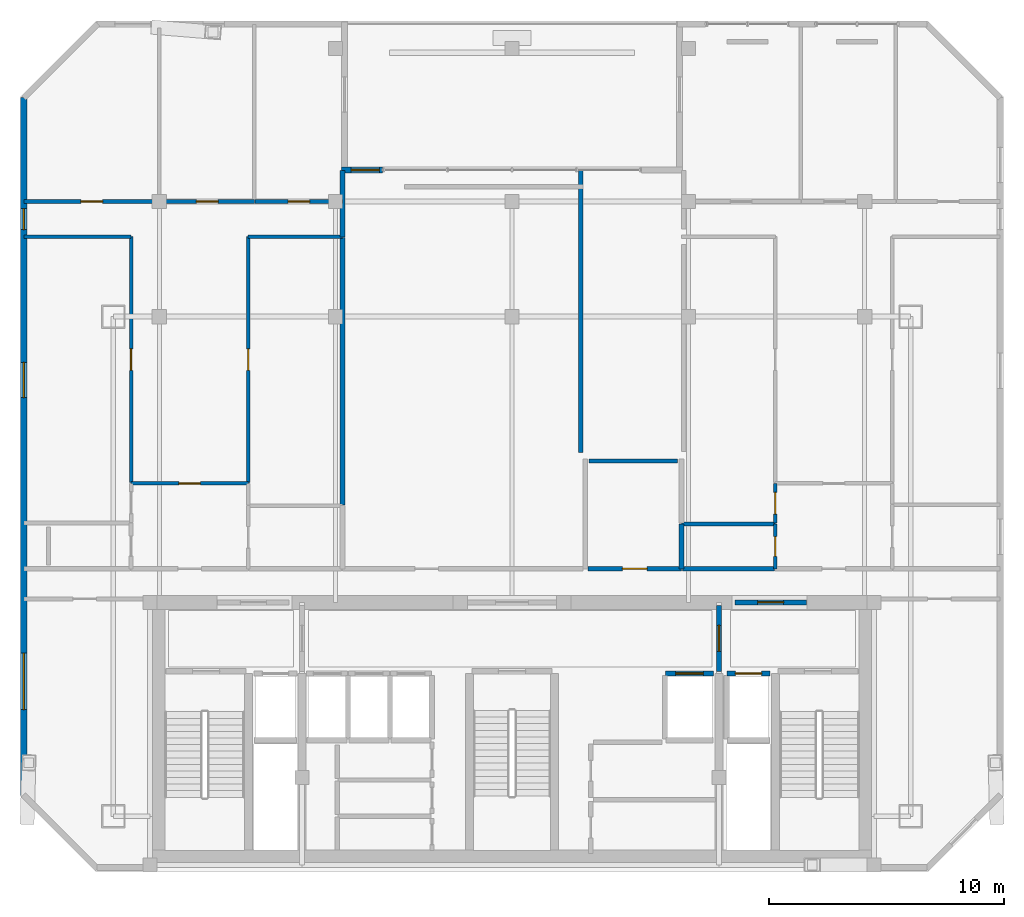
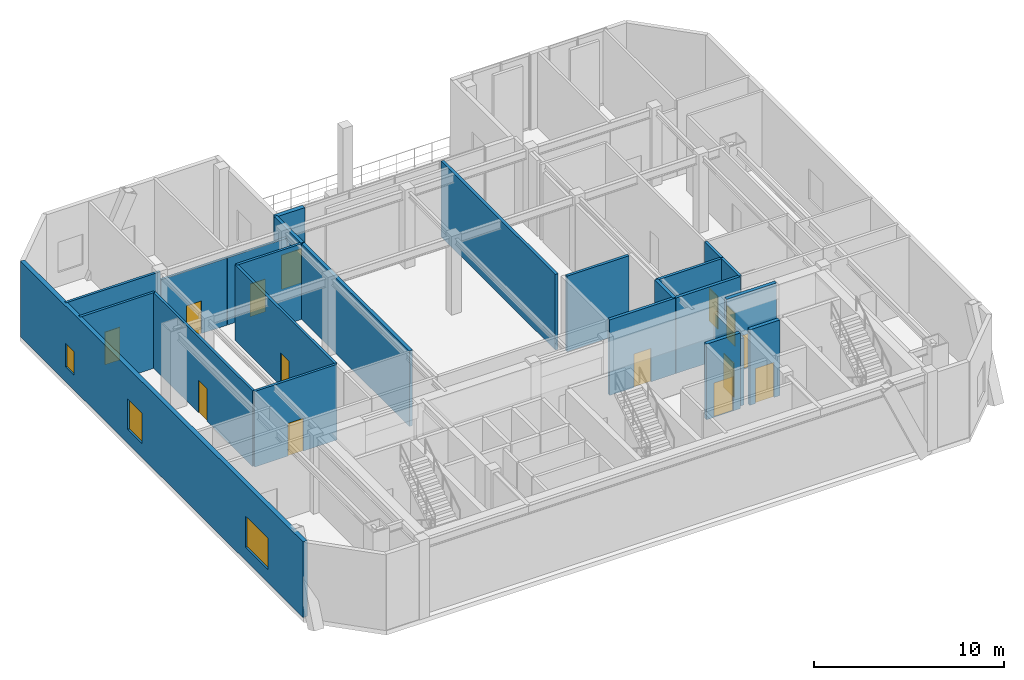
# One storey, part 9 of 12: 24 walls, 14 doors, 3 windows, 17 openings.
"""IFC4 building model written with IfcOpenShell, lengths in metres."""

from ifc_helpers import new_model, si_unit, direction, frame, frame_2d, origin, place, context, subcontext, project, spatial, rectangle, extrude, material, layer, layer_set, type_object, element, fill, save


model = new_model("IFC4")

# Units and contexts
model_context = context("Model", 3, precision=1e-05, world=origin(), true_north=direction((0.0, 1.0)))
body_context = subcontext(model_context, "Body", "Model", "MODEL_VIEW")
ifc_project = project(units=[si_unit("LENGTHUNIT", "METRE"), si_unit("AREAUNIT", "SQUARE_METRE"), si_unit("VOLUMEUNIT", "CUBIC_METRE"), si_unit("PLANEANGLEUNIT", "RADIAN"), si_unit("MASSUNIT", "GRAM", prefix="KILO")], contexts=[model_context])

# Site, building, storey
site_placement = place(None, origin())
site = spatial("IfcSite", under=ifc_project, at=site_placement, CompositionType="ELEMENT")
building_placement = place(site_placement, origin())
building = spatial("IfcBuilding", under=site, at=building_placement, Name="Ventersveld Concourse Tower", CompositionType="ELEMENT")
storey_placement = place(building_placement, frame((0.0, 0.0, 251.699951171875)))
storey = spatial("IfcBuildingStorey", under=building, at=storey_placement, Name="L62", CompositionType="ELEMENT", Elevation=251.699951171875)

# Wall, opening, door
ifc_material_1 = material(Name="Fire-rated autoclaved aerated masonry blockwork", Category="masonry")
ifc_layer_1 = layer(ifc_material_1, 0.179931640625)
ifc_layer_set_1 = layer_set([ifc_layer_1], Name="Fire-rated autoclaved aerated masonry blockwork")
wall_type_1 = type_object("IfcWallType", Name="WL-CORR-180", PredefinedType="PARTITIONING", material=ifc_layer_set_1)
wall_1_placement = place(storey_placement, frame((31.97509765625, 12.8798828125, 0.0), z_axis=(0.0, 0.0, 1.0), x_axis=(1.0, 0.0, 0.0)))
wall_1 = element("IfcWall", 1, at=wall_1_placement, inside=storey, type_object=wall_type_1, Name="L62 Interior Partition SP-L62-COR-SP-L62-SAWC", PredefinedType="PARTITIONING", context=body_context, shape_type="SweptSolid", body=[
    extrude(rectangle(XDim=3.989990234375, YDim=0.179931640625, at=frame_2d((1.9951171875, 0.0))), origin(), (0.0, 0.0, 1.0), 4.85009765625),
])
opening_1_placement = place(wall_1_placement, frame((1.469970703125, 0.0, 0.0)))
opening_1 = element("IfcOpeningElement", 2, at=opening_1_placement, cuts=wall_1, Name="Opening ID3", PredefinedType="OPENING", context=body_context, shape_type="SweptSolid", body=[
    extrude(rectangle(XDim=1.050048828125, YDim=2.14990234375, at=frame_2d((0.52490234375, 1.074951171875))), frame((0.0, 0.10009765625, 0.0), z_axis=(0.0, -1.0, 0.0), x_axis=(1.0, 0.0, 0.0)), (0.0, 0.0, 1.0), 0.199951171875),
])
ifc_material_2 = material(Name="Solid-core hardwood veneer timber", Category="wood")
door_type_1 = type_object("IfcDoorType", Name="DR-AWC-105", OperationType="NOTDEFINED", PredefinedType="DOOR", material=ifc_material_2)
door_1_placement = place(opening_1_placement, origin())
door_1 = element("IfcDoor", 3, at=door_1_placement, inside=storey, type_object=door_type_1, Name="L62 Interior Door SP-L62-COR to SP-L62-SAWC (WD-L62-2949)", OperationType="SINGLE_SWING_LEFT", OverallHeight=2.14990234375, OverallWidth=1.050048828125, PredefinedType="DOOR", context=body_context, shape_type="SweptSolid", body=[
    extrude(rectangle(XDim=1.050048828125, YDim=2.14990234375, at=frame_2d((0.52490234375, 1.074951171875))), frame((0.0, 0.02490234375, 0.0), z_axis=(0.0, -1.0, 0.0), x_axis=(1.0, 0.0, 0.0)), (0.0, 0.0, 1.0), 0.050048828125),
])
fill(opening_1, door_1)

# Walls
wall_2_placement = place(storey_placement, frame((35.9951171875, 12.8798828125, 0.0), z_axis=(0.0, 0.0, 1.0), x_axis=(1.0, 0.0, 0.0)))
element("IfcWall", 4, at=wall_2_placement, inside=storey, type_object=wall_type_1, Name="L62 Interior Partition SP-L62-COR-SP-L62-62CE-BATH", PredefinedType="PARTITIONING", context=body_context, shape_type="SweptSolid", body=[
    extrude(rectangle(XDim=3.91357421875, YDim=0.179931640625, at=frame_2d((1.956787109375, 0.0))), origin(), (0.0, 0.0, 1.0), 4.85009765625),
])
wall_3_placement = place(storey_placement, frame((31.669921875, 29.823974609375, 0.0), z_axis=(0.0, 0.0, 1.0), x_axis=(0.0, -1.0, 0.0)))
element("IfcWall", 5, at=wall_3_placement, inside=storey, type_object=wall_type_1, Name="L62 Room Enclosure Wall SP-L62-SLOB", PredefinedType="PARTITIONING", context=body_context, shape_type="SweptSolid", body=[
    extrude(rectangle(XDim=11.994873046875, YDim=0.179931640625, at=frame_2d((5.99755859375, 0.0))), origin(), (0.0, 0.0, 1.0), 4.85009765625),
])
ifc_layer_2 = layer(ifc_material_1, 0.199951171875)
ifc_layer_set_2 = layer_set([ifc_layer_2], Name="Fire-rated autoclaved aerated masonry blockwork")
wall_type_2 = type_object("IfcWallType", Name="WL-DEMISE-200", PredefinedType="PARTITIONING", material=ifc_layer_set_2)
wall_4_placement = place(storey_placement, frame((21.5400390625, 26.9951171875, 0.0), z_axis=(0.0, 0.0, 1.0), x_axis=(0.0, 1.0, 0.0)))
element("IfcWall", 6, at=wall_4_placement, inside=storey, type_object=wall_type_2, Name="L62 Interior Partition SP-L62-SLOB-SP-L62-62CW-LIV", PredefinedType="PARTITIONING", context=body_context, shape_type="SweptSolid", body=[
    extrude(rectangle(XDim=2.827392578125, YDim=0.199951171875, at=frame_2d((1.41357421875, 0.0))), origin(), (0.0, 0.0, 1.0), 4.85009765625),
])
wall_5_placement = place(storey_placement, frame((21.5400390625, 15.591552734375, 0.0), z_axis=(0.0, 0.0, 1.0), x_axis=(0.0, 1.0, 0.0)))
element("IfcWall", 7, at=wall_5_placement, inside=storey, type_object=wall_type_2, Name="L62 Interior Partition SP-L62-SLOB-SP-L62-62CW-OFFR1", PredefinedType="PARTITIONING", context=body_context, shape_type="SweptSolid", body=[
    extrude(rectangle(XDim=11.37353515625, YDim=0.199951171875, at=frame_2d((5.686767578125, 0.0))), origin(), (0.0, 0.0, 1.0), 4.85009765625),
])
wall_6_placement = place(storey_placement, frame((35.9599609375, 12.864990234375, 0.0), z_axis=(0.0, 0.0, 1.0), x_axis=(0.0, 1.0, 0.0)))
element("IfcWall", 8, at=wall_6_placement, inside=storey, type_object=wall_type_2, Name="L62 Interior Partition SP-L62-SAWC-SP-L62-62CE-BATH", PredefinedType="PARTITIONING", context=body_context, shape_type="SweptSolid", body=[
    extrude(rectangle(XDim=1.92529296875, YDim=0.199951171875, at=frame_2d((0.962646484375, 0.0))), origin(), (0.0, 0.0, 1.0), 4.85009765625),
])

# Wall, opening, door
ifc_layer_3 = layer(ifc_material_1, 0.219970703125)
ifc_layer_set_3 = layer_set([ifc_layer_3], Name="Fire-rated autoclaved aerated masonry blockwork")
wall_type_3 = type_object("IfcWallType", Name="WL-HOIST-220", PredefinedType="SOLIDWALL", material=ifc_layer_set_3)
wall_7_placement = place(storey_placement, frame((37.89990234375, 8.429931640625, 0.0), z_axis=(0.0, 0.0, 1.0), x_axis=(1.0, 0.0, 0.0)))
wall_7 = element("IfcWall", 9, at=wall_7_placement, inside=storey, type_object=wall_type_3, Name="L62 Lift Hoistway Front Wall FFL-02", PredefinedType="SOLIDWALL", context=body_context, shape_type="SweptSolid", body=[
    extrude(rectangle(XDim=1.820068359375, YDim=0.219970703125, at=frame_2d((0.91015625, 0.0))), origin(), (0.0, 0.0, 1.0), 4.85009765625),
])
opening_2_placement = place(wall_7_placement, frame((0.35009765625, 0.0, 0.0)))
opening_2 = element("IfcOpeningElement", 10, at=opening_2_placement, cuts=wall_7, Name="Opening LD1", PredefinedType="OPENING", context=body_context, shape_type="SweptSolid", body=[
    extrude(rectangle(XDim=1.1201171875, YDim=2.25, at=frame_2d((0.56005859375, 1.125))), frame((0.0, 0.1201171875, 0.0), z_axis=(0.0, -1.0, 0.0), x_axis=(1.0, 0.0, 0.0)), (0.0, 0.0, 1.0), 0.239990234375),
])
ifc_material_3 = material(Name="Brushed stainless steel 316", Category="steel")
door_type_2 = type_object("IfcDoorType", Name="LD-FF-112", OperationType="SLIDING_TO_LEFT", PredefinedType="DOOR", material=ifc_material_3)
door_2_placement = place(opening_2_placement, origin())
door_2 = element("IfcDoor", 11, at=door_2_placement, inside=storey, type_object=door_type_2, Name="L62 Lift landing door FFL-02 (LD-L62-FFL-02)", OperationType="SLIDING_TO_LEFT", OverallHeight=2.25, OverallWidth=1.1201171875, PredefinedType="DOOR", context=body_context, shape_type="SweptSolid", body=[
    extrude(rectangle(XDim=1.1201171875, YDim=2.25, at=frame_2d((0.56005859375, 1.125))), frame((0.0, 0.02490234375, 0.0), z_axis=(0.0, -1.0, 0.0), x_axis=(1.0, 0.0, 0.0)), (0.0, 0.0, 1.0), 0.050048828125),
])
fill(opening_2, door_2)

wall_8_placement = place(storey_placement, frame((35.280029296875, 8.429931640625, 0.0), z_axis=(0.0, 0.0, 1.0), x_axis=(1.0, 0.0, 0.0)))
wall_8 = element("IfcWall", 12, at=wall_8_placement, inside=storey, type_object=wall_type_3, Name="L62 Lift Hoistway Front Wall SVL-01", PredefinedType="SOLIDWALL", context=body_context, shape_type="SweptSolid", body=[
    extrude(rectangle(XDim=2.0400390625, YDim=0.219970703125, at=frame_2d((1.02001953125, 0.0))), origin(), (0.0, 0.0, 1.0), 4.85009765625),
])
opening_3_placement = place(wall_8_placement, frame((0.429931640625, 0.0, 0.0)))
opening_3 = element("IfcOpeningElement", 13, at=opening_3_placement, cuts=wall_8, Name="Opening LD2", PredefinedType="OPENING", context=body_context, shape_type="SweptSolid", body=[
    extrude(rectangle(XDim=1.179931640625, YDim=2.199951171875, at=frame_2d((0.58984375, 1.10009765625))), frame((0.0, 0.1201171875, 0.0), z_axis=(0.0, -1.0, 0.0), x_axis=(1.0, 0.0, 0.0)), (0.0, 0.0, 1.0), 0.239990234375),
])
door_type_3 = type_object("IfcDoorType", Name="LD-PAX-118", OperationType="SLIDING_TO_LEFT", PredefinedType="DOOR", material=ifc_material_3)
door_3_placement = place(opening_3_placement, origin())
door_3 = element("IfcDoor", 14, at=door_3_placement, inside=storey, type_object=door_type_3, Name="L62 Lift landing door SVL-01 (LD-L62-SVL-01)", OperationType="SLIDING_TO_RIGHT", OverallHeight=2.199951171875, OverallWidth=1.179931640625, PredefinedType="DOOR", context=body_context, shape_type="SweptSolid", body=[
    extrude(rectangle(XDim=1.179931640625, YDim=2.199951171875, at=frame_2d((0.58984375, 1.10009765625))), frame((0.0, 0.02490234375, 0.0), z_axis=(0.0, -1.0, 0.0), x_axis=(1.0, 0.0, 0.0)), (0.0, 0.0, 1.0), 0.050048828125),
])
fill(opening_3, door_3)

wall_9_placement = place(storey_placement, frame((37.550048828125, 8.52001953125, 0.0), z_axis=(0.0, 0.0, 1.0), x_axis=(0.0, 1.0, 0.0)))
wall_9 = element("IfcWall", 15, at=wall_9_placement, inside=storey, type_object=wall_type_3, Name="L62 Firefighting Lobby Smoke-Stop Wall FFLE-SEP", PredefinedType="SOLIDWALL", context=body_context, shape_type="SweptSolid", body=[
    extrude(rectangle(XDim=2.800048828125, YDim=0.219970703125, at=frame_2d((1.39990234375, 0.0))), origin(), (0.0, 0.0, 1.0), 4.3056640625),
])
opening_4_placement = place(wall_9_placement, frame((0.85009765625, 0.0, 0.0)))
opening_4 = element("IfcOpeningElement", 16, at=opening_4_placement, cuts=wall_9, Name="Opening FD2", PredefinedType="OPENING", context=body_context, shape_type="SweptSolid", body=[
    extrude(rectangle(XDim=1.10009765625, YDim=2.199951171875, at=frame_2d((0.550048828125, 1.10009765625))), frame((0.0, 0.1201171875, 0.0), z_axis=(0.0, -1.0, 0.0), x_axis=(1.0, 0.0, 0.0)), (0.0, 0.0, 1.0), 0.239990234375),
])
ifc_material_4 = material(Name="Galvanised painted steel", Category="steel")
door_type_4 = type_object("IfcDoorType", Name="DR-FFL-110", OperationType="NOTDEFINED", PredefinedType="DOOR", material=ifc_material_4)
door_4_placement = place(opening_4_placement, origin())
door_4 = element("IfcDoor", 17, at=door_4_placement, inside=storey, type_object=door_type_4, Name="L62 Firefighting Lobby Door FFLE-SEP (FD-L62-2937)", OperationType="SINGLE_SWING_RIGHT", OverallHeight=2.199951171875, OverallWidth=1.10009765625, PredefinedType="DOOR", context=body_context, shape_type="SweptSolid", body=[
    extrude(rectangle(XDim=1.10009765625, YDim=2.199951171875, at=frame_2d((0.550048828125, 1.10009765625))), frame((0.0, 0.02490234375, 0.0), z_axis=(0.0, -1.0, 0.0), x_axis=(1.0, 0.0, 0.0)), (0.0, 0.0, 1.0), 0.050048828125),
])
fill(opening_4, door_4)

wall_10_placement = place(storey_placement, frame((38.22998046875, 11.449951171875, 0.0), z_axis=(0.0, 0.0, 1.0), x_axis=(1.0, 0.0, 0.0)))
wall_10 = element("IfcWall", 18, at=wall_10_placement, inside=storey, type_object=wall_type_3, Name="L62 Core North Fire Portal FFLE-OUT", PredefinedType="SOLIDWALL", context=body_context, shape_type="SweptSolid", body=[
    extrude(rectangle(XDim=3.0400390625, YDim=0.219970703125, at=frame_2d((1.52001953125, 0.0))), origin(), (0.0, 0.0, 1.0), 4.85009765625),
])
opening_5_placement = place(wall_10_placement, frame((0.969970703125, 0.0, 0.0)))
opening_5 = element("IfcOpeningElement", 19, at=opening_5_placement, cuts=wall_10, Name="Opening FD2", PredefinedType="OPENING", context=body_context, shape_type="SweptSolid", body=[
    extrude(rectangle(XDim=1.10009765625, YDim=2.199951171875, at=frame_2d((0.550048828125, 1.10009765625))), frame((0.0, 0.1201171875, 0.0), z_axis=(0.0, -1.0, 0.0), x_axis=(1.0, 0.0, 0.0)), (0.0, 0.0, 1.0), 0.239990234375),
])
door_5_placement = place(opening_5_placement, origin())
door_5 = element("IfcDoor", 20, at=door_5_placement, inside=storey, type_object=door_type_4, Name="L62 Core Lobby Fire Door FFLE-OUT (FD-L62-2940)", OperationType="SINGLE_SWING_LEFT", OverallHeight=2.199951171875, OverallWidth=1.10009765625, PredefinedType="DOOR", context=body_context, shape_type="SweptSolid", body=[
    extrude(rectangle(XDim=1.10009765625, YDim=2.199951171875, at=frame_2d((0.550048828125, 1.10009765625))), frame((0.0, 0.02490234375, 0.0), z_axis=(0.0, -1.0, 0.0), x_axis=(1.0, 0.0, 0.0)), (0.0, 0.0, 1.0), 0.050048828125),
])
fill(opening_5, door_5)

ifc_material_5 = material(Name="Autoclaved aerated masonry blockwork", Category="masonry")
ifc_layer_4 = layer(ifc_material_5, 0.14990234375)
ifc_layer_set_4 = layer_set([ifc_layer_4], Name="Autoclaved aerated masonry blockwork")
wall_type_4 = type_object("IfcWallType", Name="WL-INT-150", PredefinedType="PARTITIONING", material=ifc_layer_set_4)
wall_11_placement = place(storey_placement, frame((12.544921875, 16.509765625, 0.0), z_axis=(0.0, 0.0, 1.0), x_axis=(1.0, 0.0, 0.0)))
wall_11 = element("IfcWall", 21, at=wall_11_placement, inside=storey, type_object=wall_type_4, Name="L62 Interior Partition SP-L62-62CW-FOY-SP-L62-62CW-LIV", PredefinedType="PARTITIONING", context=body_context, shape_type="SweptSolid", body=[
    extrude(rectangle(XDim=4.989990234375, YDim=0.14990234375, at=frame_2d((2.4951171875, 0.0))), origin(), (0.0, 0.0, 1.0), 4.85009765625),
])
opening_6_placement = place(wall_11_placement, frame((2.034912109375, 0.0, 0.0)))
opening_6 = element("IfcOpeningElement", 22, at=opening_6_placement, cuts=wall_11, Name="Opening ID1", PredefinedType="OPENING", context=body_context, shape_type="SweptSolid", body=[
    extrude(rectangle(XDim=0.919921875, YDim=2.10009765625, at=frame_2d((0.4599609375, 1.050048828125))), frame((0.0, 0.0849609375, 0.0), z_axis=(0.0, -1.0, 0.0), x_axis=(1.0, 0.0, 0.0)), (0.0, 0.0, 1.0), 0.169921875),
])
door_type_5 = type_object("IfcDoorType", Name="DR-ROOM-092", OperationType="NOTDEFINED", PredefinedType="DOOR", material=ifc_material_2)
door_6_placement = place(opening_6_placement, origin())
door_6 = element("IfcDoor", 23, at=door_6_placement, inside=storey, type_object=door_type_5, Name="L62 Interior Door SP-L62-62CW-FOY to SP-L62-62CW-LIV (D-L62-2952)", OperationType="SINGLE_SWING_RIGHT", OverallHeight=2.10009765625, OverallWidth=0.919921875, PredefinedType="DOOR", context=body_context, shape_type="SweptSolid", body=[
    extrude(rectangle(XDim=0.919921875, YDim=2.10009765625, at=frame_2d((0.4599609375, 1.050048828125))), frame((0.0, 0.02490234375, 0.0), z_axis=(0.0, -1.0, 0.0), x_axis=(1.0, 0.0, 0.0)), (0.0, 0.0, 1.0), 0.050048828125),
])
fill(opening_6, door_6)

wall_12_placement = place(storey_placement, frame((12.5498046875, 16.544921875, 0.0), z_axis=(0.0, 0.0, 1.0), x_axis=(0.0, 1.0, 0.0)))
wall_12 = element("IfcWall", 24, at=wall_12_placement, inside=storey, type_object=wall_type_4, Name="L62 Interior Partition SP-L62-62CW-LIV-SP-L62-62CW-OFFL0", PredefinedType="PARTITIONING", context=body_context, shape_type="SweptSolid", body=[
    extrude(rectangle(XDim=10.4599609375, YDim=0.14990234375, at=frame_2d((5.22998046875, 0.0))), origin(), (0.0, 0.0, 1.0), 4.85009765625),
])
opening_7_placement = place(wall_12_placement, frame((4.77001953125, 0.0, 0.0)))
opening_7 = element("IfcOpeningElement", 25, at=opening_7_placement, cuts=wall_12, Name="Opening ID1", PredefinedType="OPENING", context=body_context, shape_type="SweptSolid", body=[
    extrude(rectangle(XDim=0.919921875, YDim=2.10009765625, at=frame_2d((0.4599609375, 1.050048828125))), frame((0.0, 0.0849609375, 0.0), z_axis=(0.0, -1.0, 0.0), x_axis=(1.0, 0.0, 0.0)), (0.0, 0.0, 1.0), 0.169921875),
])
door_7_placement = place(opening_7_placement, origin())
door_7 = element("IfcDoor", 26, at=door_7_placement, inside=storey, type_object=door_type_5, Name="L62 Interior Door SP-L62-62CW-LIV to SP-L62-62CW-OFFL0 (D-L62-2956)", OperationType="SINGLE_SWING_RIGHT", OverallHeight=2.10009765625, OverallWidth=0.919921875, PredefinedType="DOOR", context=body_context, shape_type="SweptSolid", body=[
    extrude(rectangle(XDim=0.919921875, YDim=2.10009765625, at=frame_2d((0.4599609375, 1.050048828125))), frame((0.0, 0.02490234375, 0.0), z_axis=(0.0, -1.0, 0.0), x_axis=(1.0, 0.0, 0.0)), (0.0, 0.0, 1.0), 0.050048828125),
])
fill(opening_7, door_7)

# Wall
wall_13_placement = place(storey_placement, frame((8.0048828125, 27.0, 0.0), z_axis=(0.0, 0.0, 1.0), x_axis=(1.0, 0.0, 0.0)))
element("IfcWall", 27, at=wall_13_placement, inside=storey, type_object=wall_type_4, Name="L62 Interior Partition SP-L62-62CW-LIV-SP-L62-62CW-OFFL0", PredefinedType="PARTITIONING", context=body_context, shape_type="SweptSolid", body=[
    extrude(rectangle(XDim=4.550048828125, YDim=0.14990234375, at=frame_2d((2.27490234375, 0.0))), origin(), (0.0, 0.0, 1.0), 4.85009765625),
])

# Wall, opening, door
wall_14_placement = place(storey_placement, frame((17.52978515625, 16.544921875, 0.0), z_axis=(0.0, 0.0, 1.0), x_axis=(0.0, 1.0, 0.0)))
wall_14 = element("IfcWall", 28, at=wall_14_placement, inside=storey, type_object=wall_type_4, Name="L62 Interior Partition SP-L62-62CW-LIV-SP-L62-62CW-OFFR1", PredefinedType="PARTITIONING", context=body_context, shape_type="SweptSolid", body=[
    extrude(rectangle(XDim=10.4599609375, YDim=0.14990234375, at=frame_2d((5.22998046875, 0.0))), origin(), (0.0, 0.0, 1.0), 4.85009765625),
])
opening_8_placement = place(wall_14_placement, frame((4.77001953125, 0.0, 0.0)))
opening_8 = element("IfcOpeningElement", 29, at=opening_8_placement, cuts=wall_14, Name="Opening ID1", PredefinedType="OPENING", context=body_context, shape_type="SweptSolid", body=[
    extrude(rectangle(XDim=0.919921875, YDim=2.10009765625, at=frame_2d((0.4599609375, 1.050048828125))), frame((0.0, 0.0849609375, 0.0), z_axis=(0.0, -1.0, 0.0), x_axis=(1.0, 0.0, 0.0)), (0.0, 0.0, 1.0), 0.169921875),
])
door_8_placement = place(opening_8_placement, origin())
door_8 = element("IfcDoor", 30, at=door_8_placement, inside=storey, type_object=door_type_5, Name="L62 Interior Door SP-L62-62CW-LIV to SP-L62-62CW-OFFR1 (D-L62-2957)", OperationType="SINGLE_SWING_LEFT", OverallHeight=2.10009765625, OverallWidth=0.919921875, PredefinedType="DOOR", context=body_context, shape_type="SweptSolid", body=[
    extrude(rectangle(XDim=0.919921875, YDim=2.10009765625, at=frame_2d((0.4599609375, 1.050048828125))), frame((0.0, 0.02490234375, 0.0), z_axis=(0.0, -1.0, 0.0), x_axis=(1.0, 0.0, 0.0)), (0.0, 0.0, 1.0), 0.050048828125),
])
fill(opening_8, door_8)

# Wall
wall_15_placement = place(storey_placement, frame((17.52490234375, 27.0, 0.0), z_axis=(0.0, 0.0, 1.0), x_axis=(1.0, 0.0, 0.0)))
element("IfcWall", 31, at=wall_15_placement, inside=storey, type_object=wall_type_4, Name="L62 Interior Partition SP-L62-62CW-LIV-SP-L62-62CW-OFFR1", PredefinedType="PARTITIONING", context=body_context, shape_type="SweptSolid", body=[
    extrude(rectangle(XDim=4.02001953125, YDim=0.14990234375, at=frame_2d((2.010009765625, 0.0))), origin(), (0.0, 0.0, 1.0), 4.85009765625),
])

# Wall, opening, door
wall_16_placement = place(storey_placement, frame((8.0048828125, 28.5, 0.0), z_axis=(0.0, 0.0, 1.0), x_axis=(1.0, 0.0, 0.0)))
wall_16 = element("IfcWall", 32, at=wall_16_placement, inside=storey, type_object=wall_type_4, Name="L62 Interior Partition SP-L62-62CW-LIV-SP-L62-62CW-BR1", PredefinedType="PARTITIONING", context=body_context, shape_type="SweptSolid", body=[
    extrude(rectangle(XDim=5.75, YDim=0.14990234375, at=frame_2d((2.875, 0.0))), origin(), (0.0, 0.0, 1.0), 4.85009765625),
])
opening_9_placement = place(wall_16_placement, frame((2.4150390625, 0.0, 0.0)))
opening_9 = element("IfcOpeningElement", 33, at=opening_9_placement, cuts=wall_16, Name="Opening ID1", PredefinedType="OPENING", context=body_context, shape_type="SweptSolid", body=[
    extrude(rectangle(XDim=0.919921875, YDim=2.10009765625, at=frame_2d((0.4599609375, 1.050048828125))), frame((0.0, 0.0849609375, 0.0), z_axis=(0.0, -1.0, 0.0), x_axis=(1.0, 0.0, 0.0)), (0.0, 0.0, 1.0), 0.169921875),
])
door_9_placement = place(opening_9_placement, origin())
door_9 = element("IfcDoor", 34, at=door_9_placement, inside=storey, type_object=door_type_5, Name="L62 Interior Door SP-L62-62CW-LIV to SP-L62-62CW-BR1 (D-L62-2958)", OperationType="SINGLE_SWING_RIGHT", OverallHeight=2.10009765625, OverallWidth=0.919921875, PredefinedType="DOOR", context=body_context, shape_type="SweptSolid", body=[
    extrude(rectangle(XDim=0.919921875, YDim=2.10009765625, at=frame_2d((0.4599609375, 1.050048828125))), frame((0.0, 0.02490234375, 0.0), z_axis=(0.0, -1.0, 0.0), x_axis=(1.0, 0.0, 0.0)), (0.0, 0.0, 1.0), 0.050048828125),
])
fill(opening_9, door_9)

wall_17_placement = place(storey_placement, frame((13.784912109375, 28.5, 0.0), z_axis=(0.0, 0.0, 1.0), x_axis=(1.0, 0.0, 0.0)))
wall_17 = element("IfcWall", 35, at=wall_17_placement, inside=storey, type_object=wall_type_4, Name="L62 Interior Partition SP-L62-62CW-LIV-SP-L62-62CW-BR2", PredefinedType="PARTITIONING", context=body_context, shape_type="SweptSolid", body=[
    extrude(rectangle(XDim=4.010986328125, YDim=0.14990234375, at=frame_2d((2.00537109375, 0.0))), origin(), (0.0, 0.0, 1.0), 4.3056640625),
])
opening_10_placement = place(wall_17_placement, frame((1.54541015625, 0.0, 0.0)))
opening_10 = element("IfcOpeningElement", 36, at=opening_10_placement, cuts=wall_17, Name="Opening ID1", PredefinedType="OPENING", context=body_context, shape_type="SweptSolid", body=[
    extrude(rectangle(XDim=0.919921875, YDim=2.10009765625, at=frame_2d((0.4599609375, 1.050048828125))), frame((0.0, 0.0849609375, 0.0), z_axis=(0.0, -1.0, 0.0), x_axis=(1.0, 0.0, 0.0)), (0.0, 0.0, 1.0), 0.169921875),
])
door_10_placement = place(opening_10_placement, origin())
door_10 = element("IfcDoor", 37, at=door_10_placement, inside=storey, type_object=door_type_5, Name="L62 Interior Door SP-L62-62CW-LIV to SP-L62-62CW-BR2 (D-L62-2959)", OperationType="SINGLE_SWING_LEFT", OverallHeight=2.10009765625, OverallWidth=0.919921875, PredefinedType="DOOR", context=body_context, shape_type="SweptSolid", body=[
    extrude(rectangle(XDim=0.919921875, YDim=2.10009765625, at=frame_2d((0.4599609375, 1.050048828125))), frame((0.0, 0.02490234375, 0.0), z_axis=(0.0, -1.0, 0.0), x_axis=(1.0, 0.0, 0.0)), (0.0, 0.0, 1.0), 0.050048828125),
])
fill(opening_10, door_10)

wall_18_placement = place(storey_placement, frame((17.82568359375, 28.5, 0.0), z_axis=(0.0, 0.0, 1.0), x_axis=(1.0, 0.0, 0.0)))
wall_18 = element("IfcWall", 38, at=wall_18_placement, inside=storey, type_object=wall_type_4, Name="L62 Interior Partition SP-L62-62CW-LIV-SP-L62-62CW-BR3", PredefinedType="PARTITIONING", context=body_context, shape_type="SweptSolid", body=[
    extrude(rectangle(XDim=3.71923828125, YDim=0.14990234375, at=frame_2d((1.859619140625, 0.0))), origin(), (0.0, 0.0, 1.0), 4.3056640625),
])
opening_11_placement = place(wall_18_placement, frame((1.399658203125, 0.0, 0.0)))
opening_11 = element("IfcOpeningElement", 39, at=opening_11_placement, cuts=wall_18, Name="Opening ID1", PredefinedType="OPENING", context=body_context, shape_type="SweptSolid", body=[
    extrude(rectangle(XDim=0.919921875, YDim=2.10009765625, at=frame_2d((0.4599609375, 1.050048828125))), frame((0.0, 0.0849609375, 0.0), z_axis=(0.0, -1.0, 0.0), x_axis=(1.0, 0.0, 0.0)), (0.0, 0.0, 1.0), 0.169921875),
])
door_11_placement = place(opening_11_placement, origin())
door_11 = element("IfcDoor", 40, at=door_11_placement, inside=storey, type_object=door_type_5, Name="L62 Interior Door SP-L62-62CW-LIV to SP-L62-62CW-BR3 (D-L62-2960)", OperationType="SINGLE_SWING_RIGHT", OverallHeight=2.10009765625, OverallWidth=0.919921875, PredefinedType="DOOR", context=body_context, shape_type="SweptSolid", body=[
    extrude(rectangle(XDim=0.919921875, YDim=2.10009765625, at=frame_2d((0.4599609375, 1.050048828125))), frame((0.0, 0.02490234375, 0.0), z_axis=(0.0, -1.0, 0.0), x_axis=(1.0, 0.0, 0.0)), (0.0, 0.0, 1.0), 0.050048828125),
])
fill(opening_11, door_11)

wall_19_placement = place(storey_placement, frame((39.943603515625, 14.8203125, 0.0), z_axis=(0.0, 0.0, 1.0), x_axis=(0.0, 1.0, 0.0)))
wall_19 = element("IfcWall", 41, at=wall_19_placement, inside=storey, type_object=wall_type_4, Name="L62 Interior Partition SP-L62-62CE-FOY-SP-L62-62CE-OFFL0", PredefinedType="PARTITIONING", context=body_context, shape_type="SweptSolid", body=[
    extrude(rectangle(XDim=1.694580078125, YDim=0.14990234375, at=frame_2d((0.84716796875, 0.0))), origin(), (0.0, 0.0, 1.0), 4.85009765625),
])
opening_12_placement = place(wall_19_placement, frame((0.38720703125, 0.0, 0.0)))
opening_12 = element("IfcOpeningElement", 42, at=opening_12_placement, cuts=wall_19, Name="Opening ID1", PredefinedType="OPENING", context=body_context, shape_type="SweptSolid", body=[
    extrude(rectangle(XDim=0.919921875, YDim=2.10009765625, at=frame_2d((0.4599609375, 1.050048828125))), frame((0.0, 0.0849609375, 0.0), z_axis=(0.0, -1.0, 0.0), x_axis=(1.0, 0.0, 0.0)), (0.0, 0.0, 1.0), 0.169921875),
])
door_12_placement = place(opening_12_placement, origin())
door_12 = element("IfcDoor", 43, at=door_12_placement, inside=storey, type_object=door_type_5, Name="L62 Interior Door SP-L62-62CE-FOY to SP-L62-62CE-OFFL0 (D-L62-2963)", OperationType="SINGLE_SWING_LEFT", OverallHeight=2.10009765625, OverallWidth=0.919921875, PredefinedType="DOOR", context=body_context, shape_type="SweptSolid", body=[
    extrude(rectangle(XDim=0.919921875, YDim=2.10009765625, at=frame_2d((0.4599609375, 1.050048828125))), frame((0.0, 0.02490234375, 0.0), z_axis=(0.0, -1.0, 0.0), x_axis=(1.0, 0.0, 0.0)), (0.0, 0.0, 1.0), 0.050048828125),
])
fill(opening_12, door_12)

ifc_material_6 = material(Name="Precast concrete C45/55", Category="concrete")
ifc_layer_5 = layer(ifc_material_6, 0.260009765625)
ifc_layer_set_5 = layer_set([ifc_layer_5], Name="Precast concrete C45/55")
wall_type_5 = type_object("IfcWallType", Name="WL-PREC-260", PredefinedType="SOLIDWALL", material=ifc_layer_set_5)
wall_20_placement = place(storey_placement, frame((21.489990234375, 29.841796875, 0.0), z_axis=(0.0, 0.0, 1.0), x_axis=(1.0, 0.0, 0.0)))
wall_20 = element("IfcWall", 44, at=wall_20_placement, inside=storey, type_object=wall_type_5, Name="L62 Sky Garden West Pier", PredefinedType="SOLIDWALL", context=body_context, shape_type="SweptSolid", body=[
    extrude(rectangle(XDim=1.760009765625, YDim=0.260009765625, at=frame_2d((0.8798828125, 0.0))), origin(), (0.0, 0.0, 1.0), 4.85009765625),
])
opening_13_placement = place(wall_20_placement, frame((0.419921875, 0.0, 0.0)))
opening_13 = element("IfcOpeningElement", 45, at=opening_13_placement, cuts=wall_20, Name="Opening TD1", PredefinedType="OPENING", context=body_context, shape_type="SweptSolid", body=[
    extrude(rectangle(XDim=1.199951171875, YDim=2.199951171875, at=frame_2d((0.60009765625, 1.10009765625))), frame((0.0, 0.14013671875, 0.0), z_axis=(0.0, -1.0, 0.0), x_axis=(1.0, 0.0, 0.0)), (0.0, 0.0, 1.0), 0.280029296875),
])
ifc_material_7 = material(Name="Anodised aluminium EN AW-6063-T6", Category="aluminium")
door_type_6 = type_object("IfcDoorType", Name="DR-TERR-120", OperationType="NOTDEFINED", PredefinedType="DOOR", material=ifc_material_7)
door_13_placement = place(opening_13_placement, origin())
door_13 = element("IfcDoor", 46, at=door_13_placement, inside=storey, type_object=door_type_6, Name="L62 Sky Garden Terrace Door TD-L62-01", OperationType="SINGLE_SWING_LEFT", OverallHeight=2.199951171875, OverallWidth=1.199951171875, PredefinedType="DOOR", context=body_context, shape_type="SweptSolid", body=[
    extrude(rectangle(XDim=1.199951171875, YDim=2.199951171875, at=frame_2d((0.60009765625, 1.10009765625))), frame((0.0, 0.02490234375, 0.0), z_axis=(0.0, -1.0, 0.0), x_axis=(1.0, 0.0, 0.0)), (0.0, 0.0, 1.0), 0.050048828125),
])
fill(opening_13, door_13)

# Wall, openings, windows
wall_21_placement = place(storey_placement, frame((7.985595703125, 32.931884765625, 0.0), z_axis=(0.0, 0.0, 1.0), x_axis=(0.0, -1.0, 0.0)))
wall_21 = element("IfcWall", 47, at=wall_21_placement, inside=storey, type_object=wall_type_5, Name="L62 Highveld Precast Facade Wall E11", PredefinedType="SOLIDWALL", context=body_context, shape_type="SweptSolid", body=[
    extrude(rectangle(XDim=29.69189453125, YDim=0.260009765625, at=frame_2d((14.845947265625, 0.0))), origin(), (0.0, 0.0, 1.0), 4.85009765625),
])
opening_14_placement = place(wall_21_placement, frame((23.6416015625, 0.0, 0.85009765625)))
opening_14 = element("IfcOpeningElement", 48, at=opening_14_placement, cuts=wall_21, Name="Opening W5", PredefinedType="OPENING", context=body_context, shape_type="SweptSolid", body=[
    extrude(rectangle(XDim=2.39990234375, YDim=2.0, at=frame_2d((1.199951171875, 1.0))), frame((0.0, 0.14013671875, 0.0), z_axis=(0.0, -1.0, 0.0), x_axis=(1.0, 0.0, 0.0)), (0.0, 0.0, 1.0), 0.280029296875),
])
opening_15_placement = place(wall_21_placement, frame((4.73193359375, 0.0, 0.949951171875)))
opening_15 = element("IfcOpeningElement", 49, at=opening_15_placement, cuts=wall_21, Name="Opening W4", PredefinedType="OPENING", context=body_context, shape_type="SweptSolid", body=[
    extrude(rectangle(XDim=0.89990234375, YDim=1.5, at=frame_2d((0.449951171875, 0.75))), frame((0.0, 0.14013671875, 0.0), z_axis=(0.0, -1.0, 0.0), x_axis=(1.0, 0.0, 0.0)), (0.0, 0.0, 1.0), 0.280029296875),
])
opening_16_placement = place(wall_21_placement, frame((11.270751953125, 0.0, 0.89990234375)))
opening_16 = element("IfcOpeningElement", 50, at=opening_16_placement, cuts=wall_21, Name="Opening W1", PredefinedType="OPENING", context=body_context, shape_type="SweptSolid", body=[
    extrude(rectangle(XDim=1.5, YDim=1.949951171875, at=frame_2d((0.75, 0.97509765625))), frame((0.0, 0.14013671875, 0.0), z_axis=(0.0, -1.0, 0.0), x_axis=(1.0, 0.0, 0.0)), (0.0, 0.0, 1.0), 0.280029296875),
])
ifc_material_8 = material(Name="Tempered acoustic Low-E IGU", Category="glass")
window_type_1 = type_object("IfcWindowType", Name="WIN-090x150", PartitioningType="SINGLE_PANEL", PredefinedType="WINDOW", material=ifc_material_8)
window_1_placement = place(opening_15_placement, origin())
window_1 = element("IfcWindow", 51, at=window_1_placement, inside=storey, type_object=window_type_1, Name="L62 Punched Low-E Window W-0881", OverallHeight=1.5, OverallWidth=0.89990234375, PartitioningType="SINGLE_PANEL", PredefinedType="WINDOW", context=body_context, shape_type="SweptSolid", body=[
    extrude(rectangle(XDim=0.89990234375, YDim=1.5, at=frame_2d((0.449951171875, 0.75))), frame((0.0, 0.030029296875, 0.0), z_axis=(0.0, -1.0, 0.0), x_axis=(1.0, 0.0, 0.0)), (0.0, 0.0, 1.0), 0.06005859375),
])
fill(opening_15, window_1)
window_type_2 = type_object("IfcWindowType", Name="WIN-150x210", PartitioningType="SINGLE_PANEL", PredefinedType="WINDOW", material=ifc_material_8)
window_2_placement = place(opening_16_placement, origin())
window_2 = element("IfcWindow", 52, at=window_2_placement, inside=storey, type_object=window_type_2, Name="L62 Punched Low-E Window W-0882", OverallHeight=1.949951171875, OverallWidth=1.5, PartitioningType="SINGLE_PANEL", PredefinedType="WINDOW", context=body_context, shape_type="SweptSolid", body=[
    extrude(rectangle(XDim=1.5, YDim=1.949951171875, at=frame_2d((0.75, 0.97509765625))), frame((0.0, 0.030029296875, 0.0), z_axis=(0.0, -1.0, 0.0), x_axis=(1.0, 0.0, 0.0)), (0.0, 0.0, 1.0), 0.06005859375),
])
fill(opening_16, window_2)
window_type_3 = type_object("IfcWindowType", Name="WIN-240x210", PartitioningType="SINGLE_PANEL", PredefinedType="WINDOW", material=ifc_material_8)
window_3_placement = place(opening_14_placement, origin())
window_3 = element("IfcWindow", 53, at=window_3_placement, inside=storey, type_object=window_type_3, Name="L62 Punched Low-E Window W-0879", OverallHeight=2.0, OverallWidth=2.39990234375, PartitioningType="SINGLE_PANEL", PredefinedType="WINDOW", context=body_context, shape_type="SweptSolid", body=[
    extrude(rectangle(XDim=2.39990234375, YDim=2.0, at=frame_2d((1.199951171875, 1.0))), frame((0.0, 0.030029296875, 0.0), z_axis=(0.0, -1.0, 0.0), x_axis=(1.0, 0.0, 0.0)), (0.0, 0.0, 1.0), 0.06005859375),
])
fill(opening_14, window_3)

# Wall, opening, door
ifc_layer_6 = layer(ifc_material_5, 0.1650390625)
ifc_layer_set_6 = layer_set([ifc_layer_6], Name="Autoclaved aerated masonry blockwork")
wall_type_6 = type_object("IfcWallType", Name="WL-WET-165", PredefinedType="PLUMBINGWALL", material=ifc_layer_set_6)
wall_22_placement = place(storey_placement, frame((39.943603515625, 12.864990234375, 0.0), z_axis=(0.0, 0.0, 1.0), x_axis=(0.0, 1.0, 0.0)))
wall_22 = element("IfcWall", 54, at=wall_22_placement, inside=storey, type_object=wall_type_6, Name="L62 Interior Partition SP-L62-62CE-FOY-SP-L62-62CE-BATH", PredefinedType="PLUMBINGWALL", context=body_context, shape_type="SweptSolid", body=[
    extrude(rectangle(XDim=1.92529296875, YDim=0.1650390625, at=frame_2d((0.962646484375, 0.0))), origin(), (0.0, 0.0, 1.0), 4.85009765625),
])
opening_17_placement = place(wall_22_placement, frame((0.53759765625, 0.0, 0.0)))
opening_17 = element("IfcOpeningElement", 55, at=opening_17_placement, cuts=wall_22, Name="Opening ID2", PredefinedType="OPENING", context=body_context, shape_type="SweptSolid", body=[
    extrude(rectangle(XDim=0.85009765625, YDim=2.10009765625, at=frame_2d((0.425048828125, 1.050048828125))), frame((0.0, 0.092529296875, 0.0), z_axis=(0.0, -1.0, 0.0), x_axis=(1.0, 0.0, 0.0)), (0.0, 0.0, 1.0), 0.18505859375),
])
door_type_7 = type_object("IfcDoorType", Name="DR-BATH-085", OperationType="NOTDEFINED", PredefinedType="DOOR", material=ifc_material_2)
door_14_placement = place(opening_17_placement, origin())
door_14 = element("IfcDoor", 56, at=door_14_placement, inside=storey, type_object=door_type_7, Name="L62 Interior Door SP-L62-62CE-FOY to SP-L62-62CE-BATH (D-L62-2962)", OperationType="SINGLE_SWING_RIGHT", OverallHeight=2.10009765625, OverallWidth=0.85009765625, PredefinedType="DOOR", context=body_context, shape_type="SweptSolid", body=[
    extrude(rectangle(XDim=0.85009765625, YDim=2.10009765625, at=frame_2d((0.425048828125, 1.050048828125))), frame((0.0, 0.02490234375, 0.0), z_axis=(0.0, -1.0, 0.0), x_axis=(1.0, 0.0, 0.0)), (0.0, 0.0, 1.0), 0.050048828125),
])
fill(opening_17, door_14)

# Walls
wall_23_placement = place(storey_placement, frame((35.955078125, 14.78515625, 0.0), z_axis=(0.0, 0.0, 1.0), x_axis=(1.0, 0.0, 0.0)))
element("IfcWall", 57, at=wall_23_placement, inside=storey, type_object=wall_type_6, Name="L62 Interior Partition SP-L62-62CE-BATH-SP-L62-62CE-OFFL0", PredefinedType="PLUMBINGWALL", context=body_context, shape_type="SweptSolid", body=[
    extrude(rectangle(XDim=3.99365234375, YDim=0.1650390625, at=frame_2d((1.996826171875, 0.0))), origin(), (0.0, 0.0, 1.0), 4.85009765625),
])
wall_24_placement = place(storey_placement, frame((32.034912109375, 17.4599609375, 0.0), z_axis=(0.0, 0.0, 1.0), x_axis=(1.0, 0.0, 0.0)))
element("IfcWall", 58, at=wall_24_placement, inside=storey, type_object=wall_type_6, Name="L62 Room Enclosure Wall SP-L62-SAWC", PredefinedType="PLUMBINGWALL", context=body_context, shape_type="SweptSolid", body=[
    extrude(rectangle(XDim=3.760009765625, YDim=0.1650390625, at=frame_2d((1.8798828125, 0.0))), origin(), (0.0, 0.0, 1.0), 4.85009765625),
])

save(model, "model.ifc")
